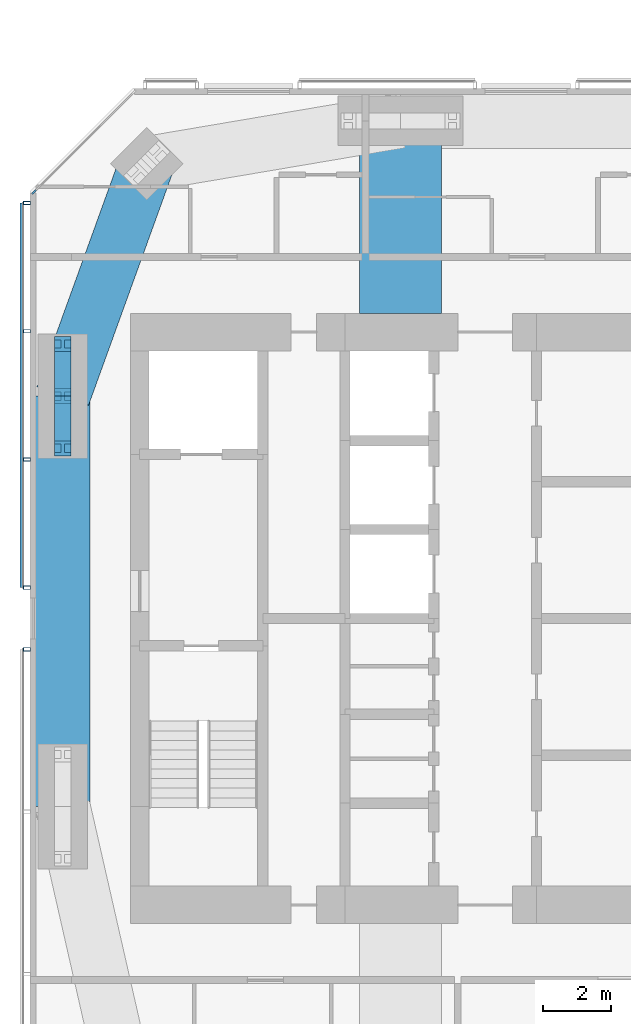
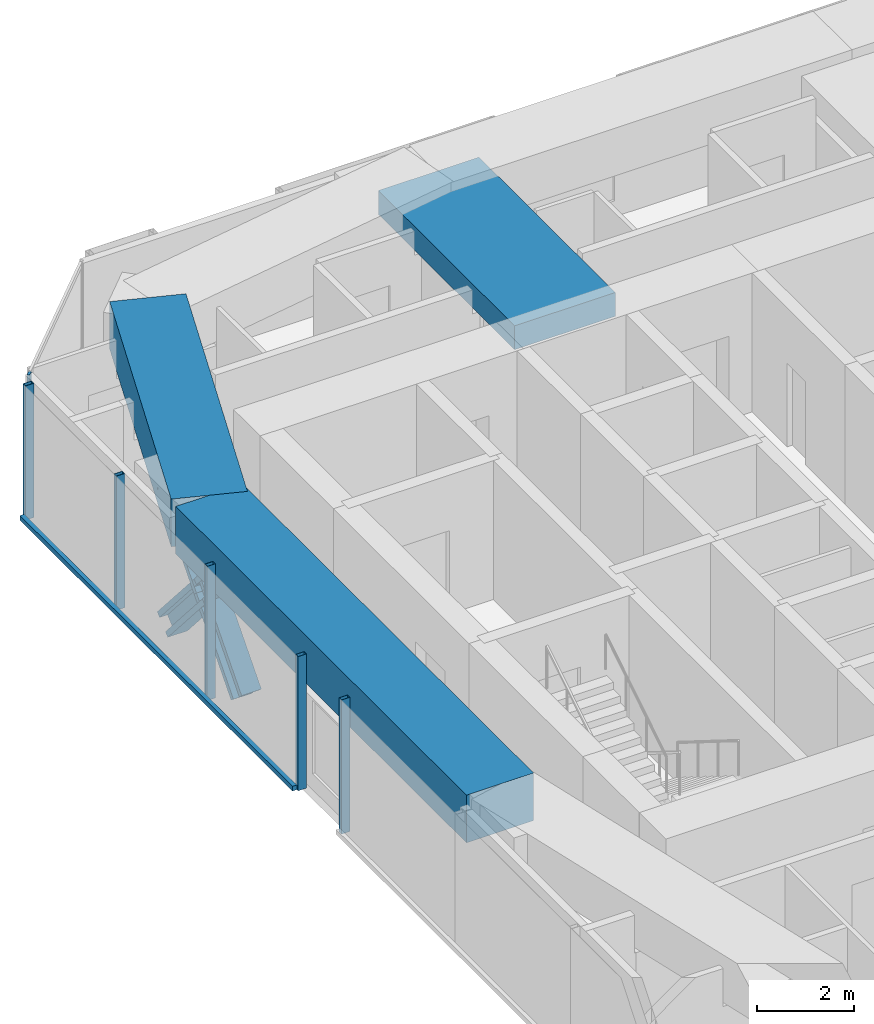
# One storey, part 5 of 18: 11 members, 3 beams, 3 elements without a shape of their own.
"""IFC4 building model written with IfcOpenShell, lengths in metres."""

from ifc_helpers import new_model, si_unit, direction, frame, origin, origin_2d, place, context, subcontext, project, spatial, rectangle, hollow_rectangle, i_section, extrude, material, material_profile, profile_set, type_object, element, aggregate, save


model = new_model("IFC4")

# Units and contexts
model_context = context("Model", 3, precision=1e-05, world=origin(), true_north=direction((0.0, 1.0)))
body_context = subcontext(model_context, "Body", "Model", "MODEL_VIEW")
ifc_project = project(units=[si_unit("LENGTHUNIT", "METRE"), si_unit("AREAUNIT", "SQUARE_METRE"), si_unit("VOLUMEUNIT", "CUBIC_METRE"), si_unit("PLANEANGLEUNIT", "RADIAN"), si_unit("MASSUNIT", "GRAM", prefix="KILO")], contexts=[model_context])

# Site, building, storey
site_placement = place(None, origin())
site = spatial("IfcSite", under=ifc_project, at=site_placement, CompositionType="ELEMENT")
building_placement = place(site_placement, origin())
building = spatial("IfcBuilding", under=site, at=building_placement, Name="Jalousie Tower", CompositionType="ELEMENT")
storey_placement = place(building_placement, frame((0.0, 0.0, 235.449951171875)))
storey = spatial("IfcBuildingStorey", under=building, at=storey_placement, Name="L64", CompositionType="ELEMENT", Elevation=235.449951171875)

# Curtain wall, member
ifc_material_1 = material(Name="Aluminium curtain wall", Category="aluminium")
curtain_wall_type_1 = type_object("IfcCurtainWallType", Name="CORNER WINDOW WALL", PredefinedType="USERDEFINED", material=ifc_material_1)
curtain_wall_1_placement = place(storey_placement, origin())
curtain_wall_1 = element("IfcCurtainWall", 1, at=curtain_wall_1_placement, inside=storey, type_object=curtain_wall_type_1, Name="Corner Window Wall L64 6", ObjectType="CORNER WINDOW WALL", PredefinedType="USERDEFINED")
ifc_material_2 = material(Name="Aluminium mullion", Category="aluminium")
ifc_material_profile_1 = material_profile(ifc_material_2, rectangle(XDim=0.06005859375, YDim=0.14990234375, at=origin_2d()), Name="MULLION 60x150")
ifc_profile_set_1 = profile_set([ifc_material_profile_1], Name="Aluminium mullion")
member_type_1 = type_object("IfcMemberType", Name="CORNER WINDOW WALL MULLION", PredefinedType="MULLION", material=ifc_profile_set_1)
member_1_placement = place(storey_placement, frame((16.90869140625, 30.969970703125, 0.0), z_axis=(0.0, 0.0, 1.0), x_axis=(0.707106781187, -0.707106781187, 0.0)))
member_1 = element("IfcMember", 2, at=member_1_placement, type_object=member_type_1, Name="CW-C mullion 2", PredefinedType="MULLION", context=body_context, shape_type="SweptSolid", body=[
    extrude(rectangle(XDim=0.06005859375, YDim=0.14990234375, at=origin_2d()), origin(), (0.0, 0.0, 1.0), 3.260009765625),
])
aggregate(curtain_wall_1, [member_1])

# Members
ifc_material_3 = material(Name="Steel ASTM A992 Grade 50", Category="steel")
ifc_material_profile_2 = material_profile(ifc_material_3, i_section(OverallWidth=0.472412109375, OverallDepth=0.5791015625, WebThickness=0.094970703125, FlangeThickness=0.1298828125, at=origin_2d()), Name="W14X808")
ifc_profile_set_2 = profile_set([ifc_material_profile_2], Name="Steel ASTM A992 Grade 50")
member_type_2 = type_object("IfcMemberType", Name="PERIMETER BRACE W14X808", PredefinedType="BRACE", material=ifc_profile_set_2)
for number, where, z_axis, x_axis, name in (
    (3, (17.75, 23.47509765625, -0.599853515625), (0.0, 0.65695436777, 0.753930340726), (-1.0, 0.0, 0.0), "Perimeter brace 13 L64 part 1"),
    (4, (17.75, 25.0, 1.150146484375), (0.0, 0.65695436777, 0.753930340726), (-1.0, 0.0, 0.0), "Perimeter brace 13 L64 part 2"),
    (5, (17.75, 26.52490234375, -0.599853515625), (0.0, -0.65695436777, 0.753930340726), (1.0, 0.0, 0.0), "Perimeter brace 13 L64 part 3"),
    (6, (17.75, 25.0, 1.150146484375), (0.0, -0.65695436777, 0.753930340726), (1.0, 0.0, 0.0), "Perimeter brace 13 L64 part 4"),
):
    element("IfcMember", number, at=place(storey_placement, frame(where, z_axis=z_axis, x_axis=x_axis)), inside=storey, type_object=member_type_2, Name=name, PredefinedType="BRACE", context=body_context, shape_type="SweptSolid", body=[
        extrude(i_section(OverallWidth=0.472412109375, OverallDepth=0.5791015625, WebThickness=0.094970703125, FlangeThickness=0.1298828125, at=origin_2d()), origin(), (0.0, 0.0, 1.0), 2.3212890625),
    ])

# Beams
ifc_material_4 = material(Name="Concrete f'c 40 MPa", Category="concrete")
ifc_material_profile_3 = material_profile(ifc_material_4, rectangle(XDim=1.60009765625, YDim=1.199951171875, at=origin_2d()), Name="RC 1600x1200")
ifc_profile_set_3 = profile_set([ifc_material_profile_3], Name="Concrete f'c 40 MPa")
beam_type_1 = type_object("IfcBeamType", Name="RC BEAM 1600x1200", PredefinedType="BEAM", material=ifc_profile_set_3)
beam_1_placement = place(storey_placement, frame((20.20703125, 31.79296875, 2.900146484375), z_axis=(-0.340136081654, -0.940376225751, 0.0), x_axis=(0.940376225751, -0.340136081654, 0.0)))
element("IfcBeam", 7, at=beam_1_placement, inside=storey, type_object=beam_type_1, Name="Edge band beam 12-13 under L65", PredefinedType="BEAM", context=body_context, shape_type="SweptSolid", body=[
    extrude(rectangle(XDim=1.60009765625, YDim=1.199951171875, at=origin_2d()), origin(), (0.0, 0.0, 1.0), 7.2236328125),
])
beam_2_placement = place(storey_placement, frame((17.75, 25.0, 2.900146484375), z_axis=(0.0, -1.0, 0.0), x_axis=(1.0, 0.0, 0.0)))
element("IfcBeam", 8, at=beam_2_placement, inside=storey, type_object=beam_type_1, Name="Edge band beam 13-14 under L65", PredefinedType="BEAM", context=body_context, shape_type="SweptSolid", body=[
    extrude(rectangle(XDim=1.60009765625, YDim=1.199951171875, at=origin_2d()), origin(), (0.0, 0.0, 1.0), 12.0),
])
ifc_material_5 = material(Name="Concrete f'c 40 MPa", Category="concrete")
ifc_material_profile_4 = material_profile(ifc_material_5, rectangle(XDim=2.39990234375, YDim=0.60009765625, at=origin_2d()), Name="RC 2400x600")
ifc_profile_set_4 = profile_set([ifc_material_profile_4], Name="Concrete f'c 40 MPa")
beam_type_2 = type_object("IfcBeamType", Name="RC BEAM 2400x600", PredefinedType="BEAM", material=ifc_profile_set_4)
beam_3_placement = place(storey_placement, frame((27.625, 33.050048828125, 2.9599609375), z_axis=(0.0, -1.0, 0.0), x_axis=(1.0, 0.0, 0.0)))
element("IfcBeam", 9, at=beam_3_placement, inside=storey, type_object=beam_type_2, Name="Floor band beam under L65", PredefinedType="BEAM", context=body_context, shape_type="SweptSolid", body=[
    extrude(rectangle(XDim=2.39990234375, YDim=0.60009765625, at=origin_2d()), origin(), (0.0, 0.0, 1.0), 5.625),
])

# Curtain wall, members
ifc_material_6 = material(Name="Perforated aluminium sheet", Category="aluminium")
curtain_wall_type_2 = type_object("IfcCurtainWallType", Name="SOLAR SCREEN SS-2", PredefinedType="USERDEFINED", material=ifc_material_6)
curtain_wall_2_placement = place(storey_placement, origin())
curtain_wall_2 = element("IfcCurtainWall", 10, at=curtain_wall_2_placement, inside=storey, type_object=curtain_wall_type_2, Name="Solar screen L64", ObjectType="SOLAR SCREEN SS-2", PredefinedType="USERDEFINED")
ifc_material_7 = material(Name="Steel ASTM A500 Grade C", Category="steel")
ifc_material_profile_5 = material_profile(ifc_material_7, hollow_rectangle(XDim=0.1015625, YDim=0.203125, WallThickness=0.0078125, at=origin_2d()), Name="HSS8X4X5/16")
ifc_profile_set_5 = profile_set([ifc_material_profile_5], Name="Steel ASTM A500 Grade C")
member_type_3 = type_object("IfcMemberType", Name="SOLAR SCREEN SS-2 MULLION", PredefinedType="MULLION", material=ifc_profile_set_5)
member_2_placement = place(storey_placement, frame((16.703369140625, 30.648681640625, -0.119873046875), z_axis=(0.0, 0.0, 1.0), x_axis=(0.0, -1.0, 0.0)))
member_2 = element("IfcMember", 11, at=member_2_placement, type_object=member_type_3, Name="SS2 post 1", PredefinedType="MULLION", context=body_context, shape_type="SweptSolid", body=[
    extrude(hollow_rectangle(XDim=0.1015625, YDim=0.203125, WallThickness=0.0078125, at=origin_2d()), origin(), (0.0, 0.0, 1.0), 3.3798828125),
])
member_3_placement = place(storey_placement, frame((16.703369140625, 26.899169921875, -0.119873046875), z_axis=(0.0, 0.0, 1.0), x_axis=(0.0, -1.0, 0.0)))
member_3 = element("IfcMember", 12, at=member_3_placement, type_object=member_type_3, Name="SS2 post 2", PredefinedType="MULLION", context=body_context, shape_type="SweptSolid", body=[
    extrude(hollow_rectangle(XDim=0.1015625, YDim=0.203125, WallThickness=0.0078125, at=origin_2d()), origin(), (0.0, 0.0, 1.0), 3.3798828125),
])
member_4_placement = place(storey_placement, frame((16.703369140625, 23.149658203125, -0.119873046875), z_axis=(0.0, 0.0, 1.0), x_axis=(0.0, -1.0, 0.0)))
member_4 = element("IfcMember", 13, at=member_4_placement, type_object=member_type_3, Name="SS2 post 3", PredefinedType="MULLION", context=body_context, shape_type="SweptSolid", body=[
    extrude(hollow_rectangle(XDim=0.1015625, YDim=0.203125, WallThickness=0.0078125, at=origin_2d()), origin(), (0.0, 0.0, 1.0), 3.3798828125),
])
member_5_placement = place(storey_placement, frame((16.703369140625, 19.39990234375, -0.119873046875), z_axis=(0.0, 0.0, 1.0), x_axis=(0.0, -1.0, 0.0)))
member_5 = element("IfcMember", 14, at=member_5_placement, type_object=member_type_3, Name="SS2 post 4", PredefinedType="MULLION", context=body_context, shape_type="SweptSolid", body=[
    extrude(hollow_rectangle(XDim=0.1015625, YDim=0.203125, WallThickness=0.0078125, at=origin_2d()), origin(), (0.0, 0.0, 1.0), 3.3798828125),
])

# Curtain wall, member
curtain_wall_3_placement = place(storey_placement, origin())
curtain_wall_3 = element("IfcCurtainWall", 15, at=curtain_wall_3_placement, inside=storey, type_object=curtain_wall_type_2, Name="Solar screen L64", ObjectType="SOLAR SCREEN SS-2", PredefinedType="USERDEFINED")
member_6_placement = place(storey_placement, frame((16.703369140625, 17.60009765625, -0.119873046875), z_axis=(0.0, 0.0, 1.0), x_axis=(0.0, -1.0, 0.0)))
member_6 = element("IfcMember", 16, at=member_6_placement, type_object=member_type_3, Name="SS2 post 1", PredefinedType="MULLION", context=body_context, shape_type="SweptSolid", body=[
    extrude(hollow_rectangle(XDim=0.1015625, YDim=0.203125, WallThickness=0.0078125, at=origin_2d()), origin(), (0.0, 0.0, 1.0), 3.3798828125),
])
aggregate(curtain_wall_3, [member_6])

# Member
ifc_material_8 = material(Name="Extruded aluminium screen rail", Category="aluminium")
ifc_material_profile_6 = material_profile(ifc_material_8, rectangle(XDim=0.1015625, YDim=0.1201171875, at=origin_2d()), Name="RAIL 102x120")
ifc_profile_set_6 = profile_set([ifc_material_profile_6], Name="Extruded aluminium screen rail")
member_type_4 = type_object("IfcMemberType", Name="SOLAR SCREEN SS-2 TRANSOM", PredefinedType="USERDEFINED", material=ifc_profile_set_6)
member_7_placement = place(storey_placement, frame((16.551025390625, 30.648681640625, -0.06005859375), z_axis=(0.0, -1.0, 0.0), x_axis=(1.0, 0.0, 0.0)))
member_7 = element("IfcMember", 17, at=member_7_placement, type_object=member_type_4, Name="SS2 rail", ObjectType="TRANSOM", PredefinedType="USERDEFINED", context=body_context, shape_type="SweptSolid", body=[
    extrude(rectangle(XDim=0.1015625, YDim=0.1201171875, at=origin_2d()), origin(), (0.0, 0.0, 1.0), 11.248779296875),
])

aggregate(curtain_wall_2, [member_2, member_3, member_4, member_5, member_7])

save(model, "model.ifc")
